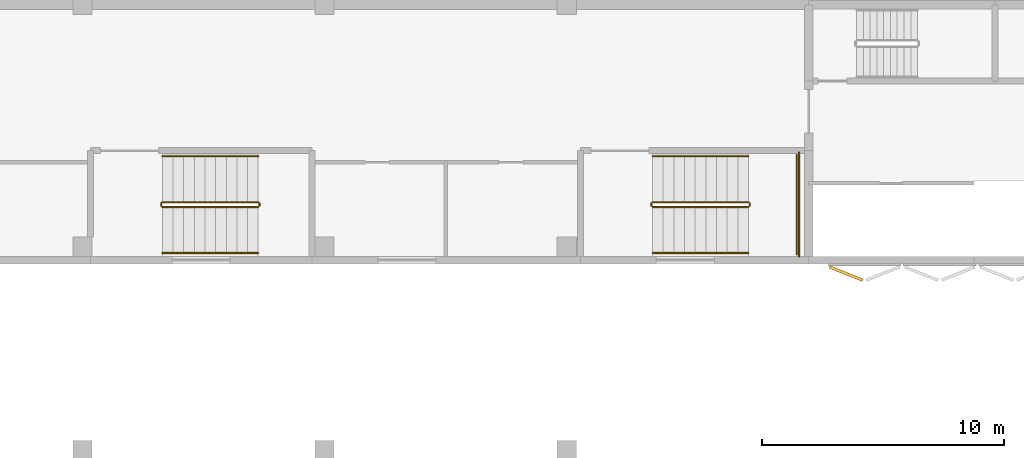
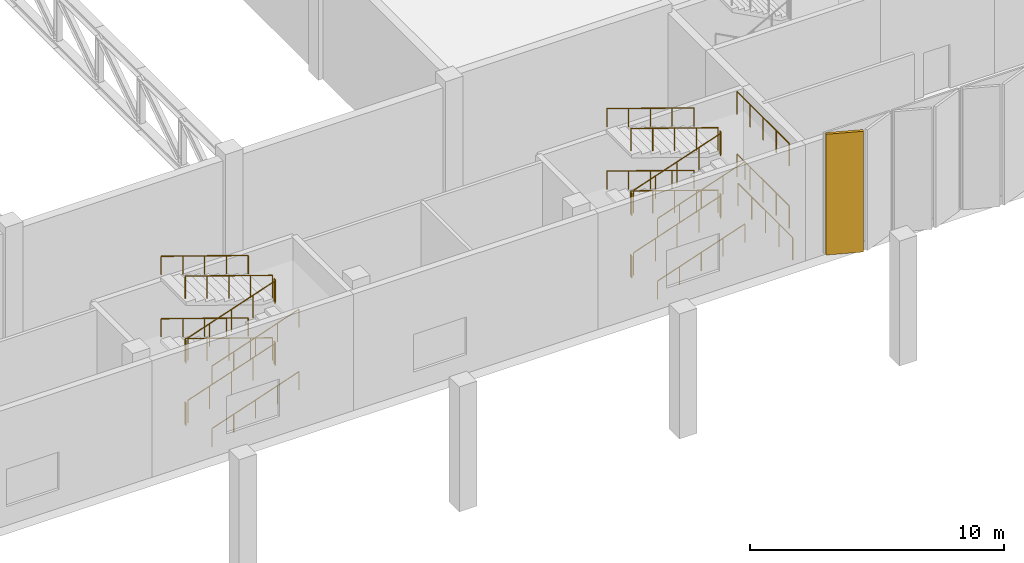
# One storey, part 46 of 51: 27 railings, 1 covering.
"""IFC4 building model written with IfcOpenShell, lengths in metres."""

from ifc_helpers import new_model, si_unit, direction, frame, origin, origin_2d, place, context, subcontext, project, spatial, rectangle, circle, extrude, material, layer, layer_set, type_object, element, save


model = new_model("IFC4")

# Units and contexts
model_context = context("Model", 3, precision=1e-05, world=origin(), true_north=direction((0.0, 1.0)))
body_context = subcontext(model_context, "Body", "Model", "MODEL_VIEW")
ifc_project = project(units=[si_unit("LENGTHUNIT", "METRE"), si_unit("AREAUNIT", "SQUARE_METRE"), si_unit("VOLUMEUNIT", "CUBIC_METRE"), si_unit("PLANEANGLEUNIT", "RADIAN"), si_unit("MASSUNIT", "GRAM", prefix="KILO")], contexts=[model_context])

# Site, building, storey
site_placement = place(None, origin())
site = spatial("IfcSite", under=ifc_project, at=site_placement, CompositionType="ELEMENT")
building_placement = place(site_placement, origin())
building = spatial("IfcBuilding", under=site, at=building_placement, Name="Jabali Bay Hotel Tower and Convention Centre", CompositionType="ELEMENT")
storey_placement = place(building_placement, frame((0.0, 0.0, 9.0)))
storey = spatial("IfcBuildingStorey", under=building, at=storey_placement, Name="L01", CompositionType="ELEMENT", Elevation=9.0)

# Covering
ifc_material_1 = material(Name="Precast concrete C40/50", Category="concrete")
ifc_layer = layer(ifc_material_1, 0.1201171875)
ifc_layer_set = layer_set([ifc_layer], Name="Precast concrete C40/50")
covering_type = type_object("IfcCoveringType", Name="CC Relief blade 3000 x 5800", PredefinedType="CLADDING", material=ifc_layer_set)
covering_placement = place(storey_placement, frame((232.2470703125, 48.898193359375, 0.10009765625), z_axis=(0.0, 0.0, 1.0), x_axis=(0.928476694038, -0.371390668473, 0.0)))
element("IfcCovering", 1, at=covering_placement, inside=storey, type_object=covering_type, Name="CC relief panel S1 blade 1", PredefinedType="CLADDING", context=body_context, shape_type="SweptSolid", body=[
    extrude(rectangle(XDim=1.486328125, YDim=0.1201171875, at=origin_2d()), origin(), (0.0, 0.0, 1.0), 5.800048828125),
])

# Railings
ifc_material_2 = material(Name="Stainless steel 304", Category="steel")
railing_type_1 = type_object("IfcRailingType", Name="CC Stair Guard 1100", PredefinedType="GUARDRAIL", material=ifc_material_2)
railing_1_placement = place(storey_placement, frame((204.0, 51.64990234375, 0.14990234375)))
element("IfcRailing", 2, at=railing_1_placement, inside=storey, type_object=railing_type_1, Name="L01 CC-STS2 stair guard 1", PredefinedType="GUARDRAIL", context=body_context, shape_type="SweptSolid", body=[
    extrude(circle(Radius=0.02392578125, at=origin_2d()), frame((0.0, 0.0, 1.076171875), z_axis=(0.946502086907, 0.0, 0.322697690542), x_axis=(0.0, 1.0, 0.0)), (0.0, 0.0, 1.0), 4.183837890625),
    extrude(circle(Radius=0.02099609375, at=origin_2d()), origin(), (0.0, 0.0, 1.0), 1.052001953125),
    extrude(circle(Radius=0.02099609375, at=origin_2d()), frame((0.989990234375, 0.0, 0.33740234375)), (0.0, 0.0, 1.0), 1.052001953125),
    extrude(circle(Radius=0.02099609375, at=origin_2d()), frame((1.97998046875, 0.0, 0.675048828125)), (0.0, 0.0, 1.0), 1.052001953125),
    extrude(circle(Radius=0.02099609375, at=origin_2d()), frame((2.969970703125, 0.0, 1.0126953125)), (0.0, 0.0, 1.0), 1.052001953125),
    extrude(circle(Radius=0.02099609375, at=origin_2d()), frame((3.9599609375, 0.0, 1.35009765625)), (0.0, 0.0, 1.0), 1.052001953125),
])
railing_2_placement = place(storey_placement, frame((208.010009765625, 51.699951171875, 1.5)))
element("IfcRailing", 3, at=railing_2_placement, inside=storey, type_object=railing_type_1, Name="L01 CC-STS2 stair guard 2", PredefinedType="GUARDRAIL", context=body_context, shape_type="SweptSolid", body=[
    extrude(circle(Radius=0.02392578125, at=origin_2d()), frame((0.0, 0.0, 1.076171875), z_axis=(0.0, 1.0, 0.0), x_axis=(-1.0, 0.0, 0.0)), (0.0, 0.0, 1.0), 0.10009765625),
    extrude(circle(Radius=0.02099609375, at=origin_2d()), origin(), (0.0, 0.0, 1.0), 1.052001953125),
    extrude(circle(Radius=0.02099609375, at=origin_2d()), frame((0.0, 0.10009765625, 0.0)), (0.0, 0.0, 1.0), 1.052001953125),
])
railing_3_placement = place(storey_placement, frame((207.9599609375, 51.85009765625, 1.64990234375)))
element("IfcRailing", 4, at=railing_3_placement, inside=storey, type_object=railing_type_1, Name="L01 CC-STS2 stair guard 3", PredefinedType="GUARDRAIL", context=body_context, shape_type="SweptSolid", body=[
    extrude(circle(Radius=0.02392578125, at=origin_2d()), frame((0.0, 0.0, 1.076171875), z_axis=(-0.946502086907, 0.0, 0.322697690542), x_axis=(0.0, -1.0, 0.0)), (0.0, 0.0, 1.0), 4.183837890625),
    extrude(circle(Radius=0.02099609375, at=origin_2d()), origin(), (0.0, 0.0, 1.0), 1.052001953125),
    extrude(circle(Radius=0.02099609375, at=origin_2d()), frame((-0.989990234375, 0.0, 0.33740234375)), (0.0, 0.0, 1.0), 1.052001953125),
    extrude(circle(Radius=0.02099609375, at=origin_2d()), frame((-1.97998046875, 0.0, 0.675048828125)), (0.0, 0.0, 1.0), 1.052001953125),
    extrude(circle(Radius=0.02099609375, at=origin_2d()), frame((-2.969970703125, 0.0, 1.0126953125)), (0.0, 0.0, 1.0), 1.052001953125),
    extrude(circle(Radius=0.02099609375, at=origin_2d()), frame((-3.9599609375, 0.0, 1.35009765625)), (0.0, 0.0, 1.0), 1.052001953125),
])
railing_4_placement = place(storey_placement, frame((203.949951171875, 51.699951171875, 3.0)))
element("IfcRailing", 5, at=railing_4_placement, inside=storey, type_object=railing_type_1, Name="L01 CC-STS2 stair guard 4", PredefinedType="GUARDRAIL", context=body_context, shape_type="SweptSolid", body=[
    extrude(circle(Radius=0.02392578125, at=origin_2d()), frame((0.0, 0.0, 1.076171875), z_axis=(0.0, 1.0, 0.0), x_axis=(-1.0, 0.0, 0.0)), (0.0, 0.0, 1.0), 0.10009765625),
    extrude(circle(Radius=0.02099609375, at=origin_2d()), origin(), (0.0, 0.0, 1.0), 1.052001953125),
    extrude(circle(Radius=0.02099609375, at=origin_2d()), frame((0.0, 0.10009765625, 0.0)), (0.0, 0.0, 1.0), 1.052001953125),
])
railing_5_placement = place(storey_placement, frame((204.0, 51.64990234375, 3.14990234375)))
element("IfcRailing", 6, at=railing_5_placement, inside=storey, type_object=railing_type_1, Name="L01 CC-STS2 stair guard 5", PredefinedType="GUARDRAIL", context=body_context, shape_type="SweptSolid", body=[
    extrude(circle(Radius=0.02392578125, at=origin_2d()), frame((0.0, 0.0, 1.076171875), z_axis=(0.946502086907, 0.0, 0.322697690542), x_axis=(0.0, 1.0, 0.0)), (0.0, 0.0, 1.0), 4.183837890625),
    extrude(circle(Radius=0.02099609375, at=origin_2d()), origin(), (0.0, 0.0, 1.0), 1.052001953125),
    extrude(circle(Radius=0.02099609375, at=origin_2d()), frame((0.989990234375, 0.0, 0.33740234375)), (0.0, 0.0, 1.0), 1.052001953125),
    extrude(circle(Radius=0.02099609375, at=origin_2d()), frame((1.97998046875, 0.0, 0.675048828125)), (0.0, 0.0, 1.0), 1.052001953125),
    extrude(circle(Radius=0.02099609375, at=origin_2d()), frame((2.969970703125, 0.0, 1.0126953125)), (0.0, 0.0, 1.0), 1.052001953125),
    extrude(circle(Radius=0.02099609375, at=origin_2d()), frame((3.9599609375, 0.0, 1.35009765625)), (0.0, 0.0, 1.0), 1.052001953125),
])
railing_6_placement = place(storey_placement, frame((208.010009765625, 51.699951171875, 4.5)))
element("IfcRailing", 7, at=railing_6_placement, inside=storey, type_object=railing_type_1, Name="L01 CC-STS2 stair guard 6", PredefinedType="GUARDRAIL", context=body_context, shape_type="SweptSolid", body=[
    extrude(circle(Radius=0.02392578125, at=origin_2d()), frame((0.0, 0.0, 1.076171875), z_axis=(0.0, 1.0, 0.0), x_axis=(-1.0, 0.0, 0.0)), (0.0, 0.0, 1.0), 0.10009765625),
    extrude(circle(Radius=0.02099609375, at=origin_2d()), origin(), (0.0, 0.0, 1.0), 1.052001953125),
    extrude(circle(Radius=0.02099609375, at=origin_2d()), frame((0.0, 0.10009765625, 0.0)), (0.0, 0.0, 1.0), 1.052001953125),
])
railing_7_placement = place(storey_placement, frame((207.9599609375, 51.85009765625, 4.64990234375)))
element("IfcRailing", 8, at=railing_7_placement, inside=storey, type_object=railing_type_1, Name="L01 CC-STS2 stair guard 7", PredefinedType="GUARDRAIL", context=body_context, shape_type="SweptSolid", body=[
    extrude(circle(Radius=0.02392578125, at=origin_2d()), frame((0.0, 0.0, 1.076171875), z_axis=(-0.946502086907, 0.0, 0.322697690542), x_axis=(0.0, -1.0, 0.0)), (0.0, 0.0, 1.0), 4.183837890625),
    extrude(circle(Radius=0.02099609375, at=origin_2d()), origin(), (0.0, 0.0, 1.0), 1.052001953125),
    extrude(circle(Radius=0.02099609375, at=origin_2d()), frame((-0.989990234375, 0.0, 0.33740234375)), (0.0, 0.0, 1.0), 1.052001953125),
    extrude(circle(Radius=0.02099609375, at=origin_2d()), frame((-1.97998046875, 0.0, 0.675048828125)), (0.0, 0.0, 1.0), 1.052001953125),
    extrude(circle(Radius=0.02099609375, at=origin_2d()), frame((-2.969970703125, 0.0, 1.0126953125)), (0.0, 0.0, 1.0), 1.052001953125),
    extrude(circle(Radius=0.02099609375, at=origin_2d()), frame((-3.9599609375, 0.0, 1.35009765625)), (0.0, 0.0, 1.0), 1.052001953125),
])
railing_8_placement = place(storey_placement, frame((203.949951171875, 51.699951171875, 0.0)))
element("IfcRailing", 9, at=railing_8_placement, inside=storey, type_object=railing_type_1, Name="L01 CC-STS2 stair guard 8", PredefinedType="GUARDRAIL", context=body_context, shape_type="SweptSolid", body=[
    extrude(circle(Radius=0.02392578125, at=origin_2d()), frame((0.0, 0.0, 1.076171875), z_axis=(0.0, 1.0, 0.0), x_axis=(-1.0, 0.0, 0.0)), (0.0, 0.0, 1.0), 0.10009765625),
    extrude(circle(Radius=0.02099609375, at=origin_2d()), origin(), (0.0, 0.0, 1.0), 1.052001953125),
    extrude(circle(Radius=0.02099609375, at=origin_2d()), frame((0.0, 0.10009765625, 0.0)), (0.0, 0.0, 1.0), 1.052001953125),
])
railing_9_placement = place(storey_placement, frame((224.25, 51.64990234375, 0.14990234375)))
element("IfcRailing", 10, at=railing_9_placement, inside=storey, type_object=railing_type_1, Name="L01 CC-STS3 stair guard 1", PredefinedType="GUARDRAIL", context=body_context, shape_type="SweptSolid", body=[
    extrude(circle(Radius=0.02392578125, at=origin_2d()), frame((0.0, 0.0, 1.076171875), z_axis=(0.946502086907, 0.0, 0.322697690542), x_axis=(0.0, 1.0, 0.0)), (0.0, 0.0, 1.0), 4.183837890625),
    extrude(circle(Radius=0.02099609375, at=origin_2d()), origin(), (0.0, 0.0, 1.0), 1.052001953125),
    extrude(circle(Radius=0.02099609375, at=origin_2d()), frame((0.989990234375, 0.0, 0.33740234375)), (0.0, 0.0, 1.0), 1.052001953125),
    extrude(circle(Radius=0.02099609375, at=origin_2d()), frame((1.97998046875, 0.0, 0.675048828125)), (0.0, 0.0, 1.0), 1.052001953125),
    extrude(circle(Radius=0.02099609375, at=origin_2d()), frame((2.969970703125, 0.0, 1.0126953125)), (0.0, 0.0, 1.0), 1.052001953125),
    extrude(circle(Radius=0.02099609375, at=origin_2d()), frame((3.9599609375, 0.0, 1.35009765625)), (0.0, 0.0, 1.0), 1.052001953125),
])
railing_10_placement = place(storey_placement, frame((228.260009765625, 51.699951171875, 1.5)))
element("IfcRailing", 11, at=railing_10_placement, inside=storey, type_object=railing_type_1, Name="L01 CC-STS3 stair guard 2", PredefinedType="GUARDRAIL", context=body_context, shape_type="SweptSolid", body=[
    extrude(circle(Radius=0.02392578125, at=origin_2d()), frame((0.0, 0.0, 1.076171875), z_axis=(0.0, 1.0, 0.0), x_axis=(-1.0, 0.0, 0.0)), (0.0, 0.0, 1.0), 0.10009765625),
    extrude(circle(Radius=0.02099609375, at=origin_2d()), origin(), (0.0, 0.0, 1.0), 1.052001953125),
    extrude(circle(Radius=0.02099609375, at=origin_2d()), frame((0.0, 0.10009765625, 0.0)), (0.0, 0.0, 1.0), 1.052001953125),
])
railing_11_placement = place(storey_placement, frame((230.199951171875, 49.699951171875, 1.5)))
element("IfcRailing", 12, at=railing_11_placement, inside=storey, type_object=railing_type_1, Name="L01 CC-STS3 stair guard 3", PredefinedType="GUARDRAIL", context=body_context, shape_type="SweptSolid", body=[
    extrude(circle(Radius=0.02392578125, at=origin_2d()), frame((0.0, 0.0, 1.076171875), z_axis=(0.0, 1.0, 0.0), x_axis=(-1.0, 0.0, 0.0)), (0.0, 0.0, 1.0), 4.10009765625),
    extrude(circle(Radius=0.02099609375, at=origin_2d()), origin(), (0.0, 0.0, 1.0), 1.052001953125),
    extrude(circle(Radius=0.02099609375, at=origin_2d()), frame((0.0, 1.02490234375, 0.0)), (0.0, 0.0, 1.0), 1.052001953125),
    extrude(circle(Radius=0.02099609375, at=origin_2d()), frame((0.0, 2.050048828125, 0.0)), (0.0, 0.0, 1.0), 1.052001953125),
    extrude(circle(Radius=0.02099609375, at=origin_2d()), frame((0.0, 3.0751953125, 0.0)), (0.0, 0.0, 1.0), 1.052001953125),
    extrude(circle(Radius=0.02099609375, at=origin_2d()), frame((0.0, 4.10009765625, 0.0)), (0.0, 0.0, 1.0), 1.052001953125),
])
railing_12_placement = place(storey_placement, frame((228.2099609375, 51.85009765625, 1.64990234375)))
element("IfcRailing", 13, at=railing_12_placement, inside=storey, type_object=railing_type_1, Name="L01 CC-STS3 stair guard 4", PredefinedType="GUARDRAIL", context=body_context, shape_type="SweptSolid", body=[
    extrude(circle(Radius=0.02392578125, at=origin_2d()), frame((0.0, 0.0, 1.076171875), z_axis=(-0.946502086907, 0.0, 0.322697690542), x_axis=(0.0, -1.0, 0.0)), (0.0, 0.0, 1.0), 4.183837890625),
    extrude(circle(Radius=0.02099609375, at=origin_2d()), origin(), (0.0, 0.0, 1.0), 1.052001953125),
    extrude(circle(Radius=0.02099609375, at=origin_2d()), frame((-0.989990234375, 0.0, 0.33740234375)), (0.0, 0.0, 1.0), 1.052001953125),
    extrude(circle(Radius=0.02099609375, at=origin_2d()), frame((-1.97998046875, 0.0, 0.675048828125)), (0.0, 0.0, 1.0), 1.052001953125),
    extrude(circle(Radius=0.02099609375, at=origin_2d()), frame((-2.969970703125, 0.0, 1.0126953125)), (0.0, 0.0, 1.0), 1.052001953125),
    extrude(circle(Radius=0.02099609375, at=origin_2d()), frame((-3.9599609375, 0.0, 1.35009765625)), (0.0, 0.0, 1.0), 1.052001953125),
])
railing_13_placement = place(storey_placement, frame((224.199951171875, 51.699951171875, 3.0)))
element("IfcRailing", 14, at=railing_13_placement, inside=storey, type_object=railing_type_1, Name="L01 CC-STS3 stair guard 5", PredefinedType="GUARDRAIL", context=body_context, shape_type="SweptSolid", body=[
    extrude(circle(Radius=0.02392578125, at=origin_2d()), frame((0.0, 0.0, 1.076171875), z_axis=(0.0, 1.0, 0.0), x_axis=(-1.0, 0.0, 0.0)), (0.0, 0.0, 1.0), 0.10009765625),
    extrude(circle(Radius=0.02099609375, at=origin_2d()), origin(), (0.0, 0.0, 1.0), 1.052001953125),
    extrude(circle(Radius=0.02099609375, at=origin_2d()), frame((0.0, 0.10009765625, 0.0)), (0.0, 0.0, 1.0), 1.052001953125),
])
railing_14_placement = place(storey_placement, frame((224.25, 51.64990234375, 3.14990234375)))
element("IfcRailing", 15, at=railing_14_placement, inside=storey, type_object=railing_type_1, Name="L01 CC-STS3 stair guard 6", PredefinedType="GUARDRAIL", context=body_context, shape_type="SweptSolid", body=[
    extrude(circle(Radius=0.02392578125, at=origin_2d()), frame((0.0, 0.0, 1.076171875), z_axis=(0.946502086907, 0.0, 0.322697690542), x_axis=(0.0, 1.0, 0.0)), (0.0, 0.0, 1.0), 4.183837890625),
    extrude(circle(Radius=0.02099609375, at=origin_2d()), origin(), (0.0, 0.0, 1.0), 1.052001953125),
    extrude(circle(Radius=0.02099609375, at=origin_2d()), frame((0.989990234375, 0.0, 0.33740234375)), (0.0, 0.0, 1.0), 1.052001953125),
    extrude(circle(Radius=0.02099609375, at=origin_2d()), frame((1.97998046875, 0.0, 0.675048828125)), (0.0, 0.0, 1.0), 1.052001953125),
    extrude(circle(Radius=0.02099609375, at=origin_2d()), frame((2.969970703125, 0.0, 1.0126953125)), (0.0, 0.0, 1.0), 1.052001953125),
    extrude(circle(Radius=0.02099609375, at=origin_2d()), frame((3.9599609375, 0.0, 1.35009765625)), (0.0, 0.0, 1.0), 1.052001953125),
])
railing_15_placement = place(storey_placement, frame((228.260009765625, 51.699951171875, 4.5)))
element("IfcRailing", 16, at=railing_15_placement, inside=storey, type_object=railing_type_1, Name="L01 CC-STS3 stair guard 7", PredefinedType="GUARDRAIL", context=body_context, shape_type="SweptSolid", body=[
    extrude(circle(Radius=0.02392578125, at=origin_2d()), frame((0.0, 0.0, 1.076171875), z_axis=(0.0, 1.0, 0.0), x_axis=(-1.0, 0.0, 0.0)), (0.0, 0.0, 1.0), 0.10009765625),
    extrude(circle(Radius=0.02099609375, at=origin_2d()), origin(), (0.0, 0.0, 1.0), 1.052001953125),
    extrude(circle(Radius=0.02099609375, at=origin_2d()), frame((0.0, 0.10009765625, 0.0)), (0.0, 0.0, 1.0), 1.052001953125),
])
railing_16_placement = place(storey_placement, frame((230.199951171875, 49.699951171875, 4.5)))
element("IfcRailing", 17, at=railing_16_placement, inside=storey, type_object=railing_type_1, Name="L01 CC-STS3 stair guard 8", PredefinedType="GUARDRAIL", context=body_context, shape_type="SweptSolid", body=[
    extrude(circle(Radius=0.02392578125, at=origin_2d()), frame((0.0, 0.0, 1.076171875), z_axis=(0.0, 1.0, 0.0), x_axis=(-1.0, 0.0, 0.0)), (0.0, 0.0, 1.0), 4.10009765625),
    extrude(circle(Radius=0.02099609375, at=origin_2d()), origin(), (0.0, 0.0, 1.0), 1.052001953125),
    extrude(circle(Radius=0.02099609375, at=origin_2d()), frame((0.0, 1.02490234375, 0.0)), (0.0, 0.0, 1.0), 1.052001953125),
    extrude(circle(Radius=0.02099609375, at=origin_2d()), frame((0.0, 2.050048828125, 0.0)), (0.0, 0.0, 1.0), 1.052001953125),
    extrude(circle(Radius=0.02099609375, at=origin_2d()), frame((0.0, 3.0751953125, 0.0)), (0.0, 0.0, 1.0), 1.052001953125),
    extrude(circle(Radius=0.02099609375, at=origin_2d()), frame((0.0, 4.10009765625, 0.0)), (0.0, 0.0, 1.0), 1.052001953125),
])
railing_17_placement = place(storey_placement, frame((228.2099609375, 51.85009765625, 4.64990234375)))
element("IfcRailing", 18, at=railing_17_placement, inside=storey, type_object=railing_type_1, Name="L01 CC-STS3 stair guard 9", PredefinedType="GUARDRAIL", context=body_context, shape_type="SweptSolid", body=[
    extrude(circle(Radius=0.02392578125, at=origin_2d()), frame((0.0, 0.0, 1.076171875), z_axis=(-0.946502086907, 0.0, 0.322697690542), x_axis=(0.0, -1.0, 0.0)), (0.0, 0.0, 1.0), 4.183837890625),
    extrude(circle(Radius=0.02099609375, at=origin_2d()), origin(), (0.0, 0.0, 1.0), 1.052001953125),
    extrude(circle(Radius=0.02099609375, at=origin_2d()), frame((-0.989990234375, 0.0, 0.33740234375)), (0.0, 0.0, 1.0), 1.052001953125),
    extrude(circle(Radius=0.02099609375, at=origin_2d()), frame((-1.97998046875, 0.0, 0.675048828125)), (0.0, 0.0, 1.0), 1.052001953125),
    extrude(circle(Radius=0.02099609375, at=origin_2d()), frame((-2.969970703125, 0.0, 1.0126953125)), (0.0, 0.0, 1.0), 1.052001953125),
    extrude(circle(Radius=0.02099609375, at=origin_2d()), frame((-3.9599609375, 0.0, 1.35009765625)), (0.0, 0.0, 1.0), 1.052001953125),
])
railing_18_placement = place(storey_placement, frame((224.199951171875, 51.699951171875, 0.0)))
element("IfcRailing", 19, at=railing_18_placement, inside=storey, type_object=railing_type_1, Name="L01 CC-STS3 stair guard 10", PredefinedType="GUARDRAIL", context=body_context, shape_type="SweptSolid", body=[
    extrude(circle(Radius=0.02392578125, at=origin_2d()), frame((0.0, 0.0, 1.076171875), z_axis=(0.0, 1.0, 0.0), x_axis=(-1.0, 0.0, 0.0)), (0.0, 0.0, 1.0), 0.10009765625),
    extrude(circle(Radius=0.02099609375, at=origin_2d()), origin(), (0.0, 0.0, 1.0), 1.052001953125),
    extrude(circle(Radius=0.02099609375, at=origin_2d()), frame((0.0, 0.10009765625, 0.0)), (0.0, 0.0, 1.0), 1.052001953125),
])
railing_19_placement = place(storey_placement, frame((230.300048828125, 49.60009765625, 0.0)))
element("IfcRailing", 20, at=railing_19_placement, inside=storey, type_object=railing_type_1, Name="L01 CC-STS3 stair guard 11", PredefinedType="GUARDRAIL", context=body_context, shape_type="SweptSolid", body=[
    extrude(circle(Radius=0.02392578125, at=origin_2d()), frame((0.0, 0.0, 1.076171875), z_axis=(0.0, 1.0, 0.0), x_axis=(-1.0, 0.0, 0.0)), (0.0, 0.0, 1.0), 4.2998046875),
    extrude(circle(Radius=0.02099609375, at=origin_2d()), origin(), (0.0, 0.0, 1.0), 1.052001953125),
    extrude(circle(Radius=0.02099609375, at=origin_2d()), frame((0.0, 1.074951171875, 0.0)), (0.0, 0.0, 1.0), 1.052001953125),
    extrude(circle(Radius=0.02099609375, at=origin_2d()), frame((0.0, 2.14990234375, 0.0)), (0.0, 0.0, 1.0), 1.052001953125),
    extrude(circle(Radius=0.02099609375, at=origin_2d()), frame((0.0, 3.224853515625, 0.0)), (0.0, 0.0, 1.0), 1.052001953125),
    extrude(circle(Radius=0.02099609375, at=origin_2d()), frame((0.0, 4.2998046875, 0.0)), (0.0, 0.0, 1.0), 1.052001953125),
])
railing_type_2 = type_object("IfcRailingType", Name="CC Stair Handrail 900", PredefinedType="HANDRAIL", material=ifc_material_2)
railing_20_placement = place(storey_placement, frame((204.0, 49.75, 0.14990234375)))
element("IfcRailing", 21, at=railing_20_placement, inside=storey, type_object=railing_type_2, Name="L01 CC-STS2 stair handrail 1", PredefinedType="HANDRAIL", context=body_context, shape_type="SweptSolid", body=[
    extrude(circle(Radius=0.02392578125, at=origin_2d()), frame((0.0, 0.0, 0.8759765625), z_axis=(0.946502086907, 0.0, 0.322697690542), x_axis=(0.0, 1.0, 0.0)), (0.0, 0.0, 1.0), 4.183837890625),
    extrude(circle(Radius=0.02099609375, at=origin_2d()), origin(), (0.0, 0.0, 1.0), 0.851806640625),
    extrude(circle(Radius=0.02099609375, at=origin_2d()), frame((0.989990234375, 0.0, 0.33740234375)), (0.0, 0.0, 1.0), 0.851806640625),
    extrude(circle(Radius=0.02099609375, at=origin_2d()), frame((1.97998046875, 0.0, 0.675048828125)), (0.0, 0.0, 1.0), 0.851806640625),
    extrude(circle(Radius=0.02099609375, at=origin_2d()), frame((2.969970703125, 0.0, 1.0126953125)), (0.0, 0.0, 1.0), 0.851806640625),
    extrude(circle(Radius=0.02099609375, at=origin_2d()), frame((3.9599609375, 0.0, 1.35009765625)), (0.0, 0.0, 1.0), 0.851806640625),
])
railing_21_placement = place(storey_placement, frame((207.9599609375, 53.75, 1.64990234375)))
element("IfcRailing", 22, at=railing_21_placement, inside=storey, type_object=railing_type_2, Name="L01 CC-STS2 stair handrail 2", PredefinedType="HANDRAIL", context=body_context, shape_type="SweptSolid", body=[
    extrude(circle(Radius=0.02392578125, at=origin_2d()), frame((0.0, 0.0, 0.8759765625), z_axis=(-0.946502086907, 0.0, 0.322697690542), x_axis=(0.0, -1.0, 0.0)), (0.0, 0.0, 1.0), 4.183837890625),
    extrude(circle(Radius=0.02099609375, at=origin_2d()), origin(), (0.0, 0.0, 1.0), 0.851806640625),
    extrude(circle(Radius=0.02099609375, at=origin_2d()), frame((-0.989990234375, 0.0, 0.33740234375)), (0.0, 0.0, 1.0), 0.851806640625),
    extrude(circle(Radius=0.02099609375, at=origin_2d()), frame((-1.97998046875, 0.0, 0.675048828125)), (0.0, 0.0, 1.0), 0.851806640625),
    extrude(circle(Radius=0.02099609375, at=origin_2d()), frame((-2.969970703125, 0.0, 1.0126953125)), (0.0, 0.0, 1.0), 0.851806640625),
    extrude(circle(Radius=0.02099609375, at=origin_2d()), frame((-3.9599609375, 0.0, 1.35009765625)), (0.0, 0.0, 1.0), 0.851806640625),
])
railing_22_placement = place(storey_placement, frame((204.0, 49.75, 3.14990234375)))
element("IfcRailing", 23, at=railing_22_placement, inside=storey, type_object=railing_type_2, Name="L01 CC-STS2 stair handrail 3", PredefinedType="HANDRAIL", context=body_context, shape_type="SweptSolid", body=[
    extrude(circle(Radius=0.02392578125, at=origin_2d()), frame((0.0, 0.0, 0.8759765625), z_axis=(0.946502086907, 0.0, 0.322697690542), x_axis=(0.0, 1.0, 0.0)), (0.0, 0.0, 1.0), 4.183837890625),
    extrude(circle(Radius=0.02099609375, at=origin_2d()), origin(), (0.0, 0.0, 1.0), 0.851806640625),
    extrude(circle(Radius=0.02099609375, at=origin_2d()), frame((0.989990234375, 0.0, 0.33740234375)), (0.0, 0.0, 1.0), 0.851806640625),
    extrude(circle(Radius=0.02099609375, at=origin_2d()), frame((1.97998046875, 0.0, 0.675048828125)), (0.0, 0.0, 1.0), 0.851806640625),
    extrude(circle(Radius=0.02099609375, at=origin_2d()), frame((2.969970703125, 0.0, 1.0126953125)), (0.0, 0.0, 1.0), 0.851806640625),
    extrude(circle(Radius=0.02099609375, at=origin_2d()), frame((3.9599609375, 0.0, 1.35009765625)), (0.0, 0.0, 1.0), 0.851806640625),
])
railing_23_placement = place(storey_placement, frame((207.9599609375, 53.75, 4.64990234375)))
element("IfcRailing", 24, at=railing_23_placement, inside=storey, type_object=railing_type_2, Name="L01 CC-STS2 stair handrail 4", PredefinedType="HANDRAIL", context=body_context, shape_type="SweptSolid", body=[
    extrude(circle(Radius=0.02392578125, at=origin_2d()), frame((0.0, 0.0, 0.8759765625), z_axis=(-0.946502086907, 0.0, 0.322697690542), x_axis=(0.0, -1.0, 0.0)), (0.0, 0.0, 1.0), 4.183837890625),
    extrude(circle(Radius=0.02099609375, at=origin_2d()), origin(), (0.0, 0.0, 1.0), 0.851806640625),
    extrude(circle(Radius=0.02099609375, at=origin_2d()), frame((-0.989990234375, 0.0, 0.33740234375)), (0.0, 0.0, 1.0), 0.851806640625),
    extrude(circle(Radius=0.02099609375, at=origin_2d()), frame((-1.97998046875, 0.0, 0.675048828125)), (0.0, 0.0, 1.0), 0.851806640625),
    extrude(circle(Radius=0.02099609375, at=origin_2d()), frame((-2.969970703125, 0.0, 1.0126953125)), (0.0, 0.0, 1.0), 0.851806640625),
    extrude(circle(Radius=0.02099609375, at=origin_2d()), frame((-3.9599609375, 0.0, 1.35009765625)), (0.0, 0.0, 1.0), 0.851806640625),
])
railing_24_placement = place(storey_placement, frame((224.25, 49.75, 0.14990234375)))
element("IfcRailing", 25, at=railing_24_placement, inside=storey, type_object=railing_type_2, Name="L01 CC-STS3 stair handrail 1", PredefinedType="HANDRAIL", context=body_context, shape_type="SweptSolid", body=[
    extrude(circle(Radius=0.02392578125, at=origin_2d()), frame((0.0, 0.0, 0.8759765625), z_axis=(0.946502086907, 0.0, 0.322697690542), x_axis=(0.0, 1.0, 0.0)), (0.0, 0.0, 1.0), 4.183837890625),
    extrude(circle(Radius=0.02099609375, at=origin_2d()), origin(), (0.0, 0.0, 1.0), 0.851806640625),
    extrude(circle(Radius=0.02099609375, at=origin_2d()), frame((0.989990234375, 0.0, 0.33740234375)), (0.0, 0.0, 1.0), 0.851806640625),
    extrude(circle(Radius=0.02099609375, at=origin_2d()), frame((1.97998046875, 0.0, 0.675048828125)), (0.0, 0.0, 1.0), 0.851806640625),
    extrude(circle(Radius=0.02099609375, at=origin_2d()), frame((2.969970703125, 0.0, 1.0126953125)), (0.0, 0.0, 1.0), 0.851806640625),
    extrude(circle(Radius=0.02099609375, at=origin_2d()), frame((3.9599609375, 0.0, 1.35009765625)), (0.0, 0.0, 1.0), 0.851806640625),
])
railing_25_placement = place(storey_placement, frame((228.2099609375, 53.75, 1.64990234375)))
element("IfcRailing", 26, at=railing_25_placement, inside=storey, type_object=railing_type_2, Name="L01 CC-STS3 stair handrail 2", PredefinedType="HANDRAIL", context=body_context, shape_type="SweptSolid", body=[
    extrude(circle(Radius=0.02392578125, at=origin_2d()), frame((0.0, 0.0, 0.8759765625), z_axis=(-0.946502086907, 0.0, 0.322697690542), x_axis=(0.0, -1.0, 0.0)), (0.0, 0.0, 1.0), 4.183837890625),
    extrude(circle(Radius=0.02099609375, at=origin_2d()), origin(), (0.0, 0.0, 1.0), 0.851806640625),
    extrude(circle(Radius=0.02099609375, at=origin_2d()), frame((-0.989990234375, 0.0, 0.33740234375)), (0.0, 0.0, 1.0), 0.851806640625),
    extrude(circle(Radius=0.02099609375, at=origin_2d()), frame((-1.97998046875, 0.0, 0.675048828125)), (0.0, 0.0, 1.0), 0.851806640625),
    extrude(circle(Radius=0.02099609375, at=origin_2d()), frame((-2.969970703125, 0.0, 1.0126953125)), (0.0, 0.0, 1.0), 0.851806640625),
    extrude(circle(Radius=0.02099609375, at=origin_2d()), frame((-3.9599609375, 0.0, 1.35009765625)), (0.0, 0.0, 1.0), 0.851806640625),
])
railing_26_placement = place(storey_placement, frame((224.25, 49.75, 3.14990234375)))
element("IfcRailing", 27, at=railing_26_placement, inside=storey, type_object=railing_type_2, Name="L01 CC-STS3 stair handrail 3", PredefinedType="HANDRAIL", context=body_context, shape_type="SweptSolid", body=[
    extrude(circle(Radius=0.02392578125, at=origin_2d()), frame((0.0, 0.0, 0.8759765625), z_axis=(0.946502086907, 0.0, 0.322697690542), x_axis=(0.0, 1.0, 0.0)), (0.0, 0.0, 1.0), 4.183837890625),
    extrude(circle(Radius=0.02099609375, at=origin_2d()), origin(), (0.0, 0.0, 1.0), 0.851806640625),
    extrude(circle(Radius=0.02099609375, at=origin_2d()), frame((0.989990234375, 0.0, 0.33740234375)), (0.0, 0.0, 1.0), 0.851806640625),
    extrude(circle(Radius=0.02099609375, at=origin_2d()), frame((1.97998046875, 0.0, 0.675048828125)), (0.0, 0.0, 1.0), 0.851806640625),
    extrude(circle(Radius=0.02099609375, at=origin_2d()), frame((2.969970703125, 0.0, 1.0126953125)), (0.0, 0.0, 1.0), 0.851806640625),
    extrude(circle(Radius=0.02099609375, at=origin_2d()), frame((3.9599609375, 0.0, 1.35009765625)), (0.0, 0.0, 1.0), 0.851806640625),
])
railing_27_placement = place(storey_placement, frame((228.2099609375, 53.75, 4.64990234375)))
element("IfcRailing", 28, at=railing_27_placement, inside=storey, type_object=railing_type_2, Name="L01 CC-STS3 stair handrail 4", PredefinedType="HANDRAIL", context=body_context, shape_type="SweptSolid", body=[
    extrude(circle(Radius=0.02392578125, at=origin_2d()), frame((0.0, 0.0, 0.8759765625), z_axis=(-0.946502086907, 0.0, 0.322697690542), x_axis=(0.0, -1.0, 0.0)), (0.0, 0.0, 1.0), 4.183837890625),
    extrude(circle(Radius=0.02099609375, at=origin_2d()), origin(), (0.0, 0.0, 1.0), 0.851806640625),
    extrude(circle(Radius=0.02099609375, at=origin_2d()), frame((-0.989990234375, 0.0, 0.33740234375)), (0.0, 0.0, 1.0), 0.851806640625),
    extrude(circle(Radius=0.02099609375, at=origin_2d()), frame((-1.97998046875, 0.0, 0.675048828125)), (0.0, 0.0, 1.0), 0.851806640625),
    extrude(circle(Radius=0.02099609375, at=origin_2d()), frame((-2.969970703125, 0.0, 1.0126953125)), (0.0, 0.0, 1.0), 0.851806640625),
    extrude(circle(Radius=0.02099609375, at=origin_2d()), frame((-3.9599609375, 0.0, 1.35009765625)), (0.0, 0.0, 1.0), 0.851806640625),
])

save(model, "model.ifc")
